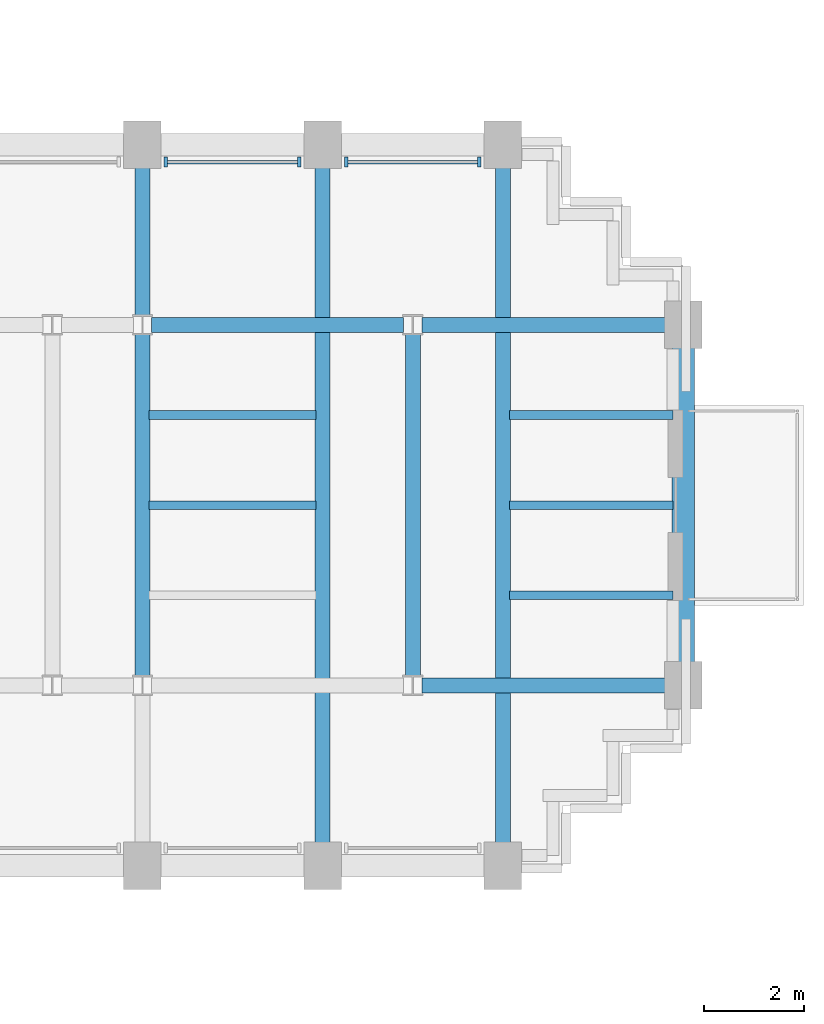
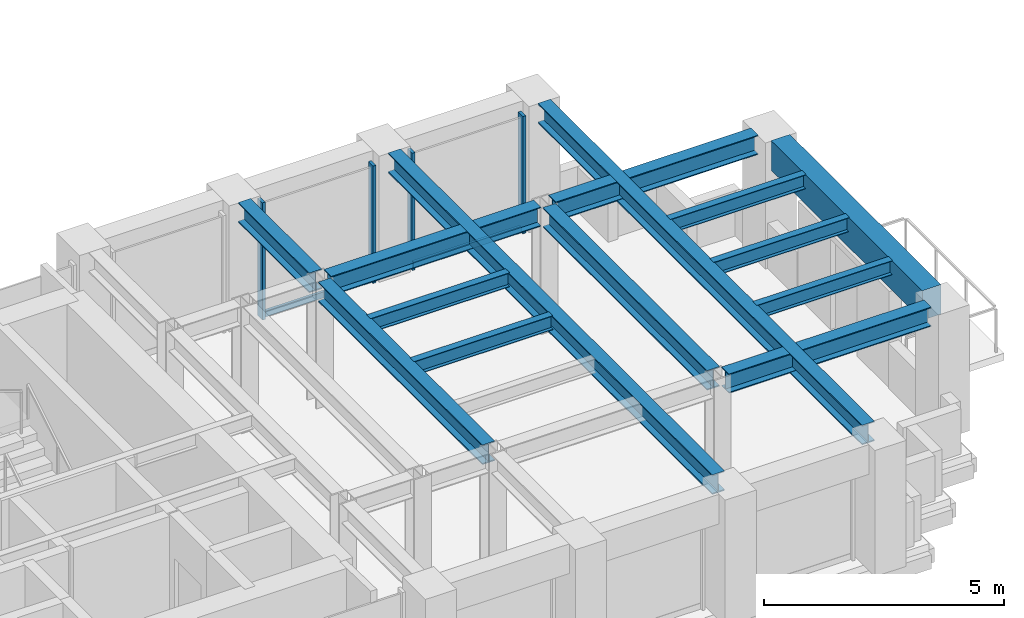
# One storey, part 6 of 15: 14 beams, 6 members, 2 elements without a shape of their own.
"""IFC4 building model written with IfcOpenShell, lengths in metres."""

from ifc_helpers import new_model, si_unit, direction, frame, origin, origin_2d, place, context, subcontext, project, spatial, rectangle, i_section, extrude, source, transform, mapped, material, material_profile, profile_set, type_object, element, aggregate, save


model = new_model("IFC4")

# Units and contexts
model_context = context("Model", 3, precision=1e-05, world=origin(), true_north=direction((0.0, 1.0)))
body_context = subcontext(model_context, "Body", "Model", "MODEL_VIEW")
ifc_project = project(units=[si_unit("LENGTHUNIT", "METRE"), si_unit("AREAUNIT", "SQUARE_METRE"), si_unit("VOLUMEUNIT", "CUBIC_METRE"), si_unit("PLANEANGLEUNIT", "RADIAN"), si_unit("MASSUNIT", "GRAM", prefix="KILO")], contexts=[model_context])

# Site, building, storey
site_placement = place(None, origin())
site = spatial("IfcSite", under=ifc_project, at=site_placement, CompositionType="ELEMENT")
building_placement = place(site_placement, origin())
building = spatial("IfcBuilding", under=site, at=building_placement, Name="Keilestroom Media Tower", CompositionType="ELEMENT")
storey_placement = place(building_placement, frame((0.0, 0.0, 47.60009765625)))
storey = spatial("IfcBuildingStorey", under=building, at=storey_placement, Name="L11", CompositionType="ELEMENT", Elevation=47.60009765625)

# Beams
ifc_material_1 = material(Name="Precast concrete C40/50", Category="concrete")
ifc_material_profile_1 = material_profile(ifc_material_1, rectangle(XDim=0.449951171875, YDim=0.75, at=origin_2d()), Name="PC 450x750")
ifc_profile_set_1 = profile_set([ifc_material_profile_1], Name="Precast concrete C40/50")
beam_type_1 = type_object("IfcBeamType", Name="Perimeter-Spandrel-Beam-PC-450x750", PredefinedType="SPANDREL", material=ifc_profile_set_1)
shared_shape_1 = source(origin(), body_context, "Body", "SweptSolid", [
    extrude(rectangle(XDim=0.449951171875, YDim=0.75, at=origin_2d()), origin(), (0.0, 0.0, 1.0), 6.2900390625),
])
beam_1_placement = place(storey_placement, frame((28.800048828125, -3.14501953125, 2.824951171875), z_axis=(0.0, 1.0, 0.0), x_axis=(-1.0, 0.0, 0.0)))
element("IfcBeam", 1, at=beam_1_placement, inside=storey, type_object=beam_type_1, Name="L11 Beam SPB-1 BM-L11-NS-086", PredefinedType="SPANDREL", context=body_context, shape_type="MappedRepresentation", body=[
    mapped(shared_shape_1, transform((0.0, 0.0, 0.0), x_axis=(1.0, 0.0, 0.0), y_axis=(0.0, 1.0, 0.0), z_axis=(0.0, 0.0, 1.0), scale=1.0)),
])
ifc_material_2 = material(Name="Steel S355", Category="steel")
ifc_material_profile_2 = material_profile(ifc_material_2, i_section(OverallWidth=0.300048828125, OverallDepth=0.5, WebThickness=0.012451171875, FlangeThickness=0.028076171875, at=origin_2d()), Name="HEB 500")
ifc_profile_set_2 = profile_set([ifc_material_profile_2], Name="Steel S355")
beam_type_2 = type_object("IfcBeamType", Name="Primary-Structural-Girder-HEB-500", PredefinedType="BEAM", material=ifc_profile_set_2)
shared_shape_2 = source(origin(), body_context, "Body", "SweptSolid", [
    extrude(i_section(OverallWidth=0.300048828125, OverallDepth=0.5, WebThickness=0.012451171875, FlangeThickness=0.028076171875, at=origin_2d()), origin(), (0.0, 0.0, 1.0), 13.490234375),
])
for number, where, z_axis, x_axis, name in (
    (2, (21.60009765625, -6.7451171875, 2.949951171875), (0.0, 1.0, 0.0), (-1.0, 0.0, 0.0), "L11 Beam BG-6 BM-L11-NS-083"),
    (3, (25.199951171875, -6.7451171875, 2.949951171875), (0.0, 1.0, 0.0), (-1.0, 0.0, 0.0), "L11 Beam BG-6 BM-L11-NS-085"),
):
    element("IfcBeam", number, at=place(storey_placement, frame(where, z_axis=z_axis, x_axis=x_axis)), inside=storey, type_object=beam_type_2, Name=name, PredefinedType="BEAM", context=body_context, shape_type="MappedRepresentation", body=[
        mapped(shared_shape_2, transform((0.0, 0.0, 0.0), x_axis=(1.0, 0.0, 0.0), y_axis=(0.0, 1.0, 0.0), z_axis=(0.0, 0.0, 1.0), scale=1.0)),
    ])
shared_shape_3 = source(origin(), body_context, "Body", "SweptSolid", [
    extrude(i_section(OverallWidth=0.300048828125, OverallDepth=0.5, WebThickness=0.012451171875, FlangeThickness=0.028076171875, at=origin_2d()), origin(), (0.0, 0.0, 1.0), 6.8330078125),
])
for number, where, z_axis, x_axis, name in (
    (4, (18.0, -3.41650390625, 2.949951171875), (0.0, 1.0, 0.0), (-1.0, 0.0, 0.0), "L11 Beam BG-6 BM-L11-NS-081"),
    (5, (23.39990234375, -3.41650390625, 2.949951171875), (0.0, 1.0, 0.0), (-1.0, 0.0, 0.0), "L11 Beam BG-6 BM-L11-NS-084"),
):
    element("IfcBeam", number, at=place(storey_placement, frame(where, z_axis=z_axis, x_axis=x_axis)), inside=storey, type_object=beam_type_2, Name=name, PredefinedType="BEAM", context=body_context, shape_type="MappedRepresentation", body=[
        mapped(shared_shape_3, transform((0.0, 0.0, 0.0), x_axis=(1.0, 0.0, 0.0), y_axis=(0.0, 1.0, 0.0), z_axis=(0.0, 0.0, 1.0), scale=1.0)),
    ])
shared_shape_4 = source(origin(), body_context, "Body", "SweptSolid", [
    extrude(i_section(OverallWidth=0.300048828125, OverallDepth=0.5, WebThickness=0.012451171875, FlangeThickness=0.028076171875, at=origin_2d()), origin(), (0.0, 0.0, 1.0), 2.961669921875),
])
beam_2_placement = place(storey_placement, frame((18.0, 3.783447265625, 2.949951171875), z_axis=(0.0, 1.0, 0.0), x_axis=(-1.0, 0.0, 0.0)))
element("IfcBeam", 6, at=beam_2_placement, inside=storey, type_object=beam_type_2, Name="L11 Beam BG-6 BM-L11-NS-082", PredefinedType="BEAM", context=body_context, shape_type="MappedRepresentation", body=[
    mapped(shared_shape_4, transform((0.0, 0.0, 0.0), x_axis=(1.0, 0.0, 0.0), y_axis=(0.0, 1.0, 0.0), z_axis=(0.0, 0.0, 1.0), scale=1.0)),
])
ifc_material_profile_3 = material_profile(ifc_material_2, i_section(OverallWidth=0.300048828125, OverallDepth=0.489990234375, WebThickness=0.011962890625, FlangeThickness=0.02294921875, at=origin_2d()), Name="HEA 500")
ifc_profile_set_3 = profile_set([ifc_material_profile_3], Name="Steel S355")
beam_type_3 = type_object("IfcBeamType", Name="Primary-Structural-Girder-HEA-500", PredefinedType="BEAM", material=ifc_profile_set_3)
shared_shape_5 = source(origin(), body_context, "Body", "SweptSolid", [
    extrude(i_section(OverallWidth=0.300048828125, OverallDepth=0.489990234375, WebThickness=0.011962890625, FlangeThickness=0.02294921875, at=origin_2d()), origin(), (0.0, 0.0, 1.0), 4.863037109375),
])
for number, where, z_axis, x_axis, name in (
    (7, (23.58203125, -3.60009765625, 2.954833984375), (1.0, 0.0, 0.0), (0.0, 1.0, 0.0), "L11 Beam BG-10 BM-L11-EW-025"),
    (8, (23.58203125, 3.60009765625, 2.954833984375), (1.0, 0.0, 0.0), (0.0, 1.0, 0.0), "L11 Beam BG-10 BM-L11-EW-033"),
):
    element("IfcBeam", number, at=place(storey_placement, frame(where, z_axis=z_axis, x_axis=x_axis)), inside=storey, type_object=beam_type_3, Name=name, PredefinedType="BEAM", context=body_context, shape_type="MappedRepresentation", body=[
        mapped(shared_shape_5, transform((0.0, 0.0, 0.0), x_axis=(1.0, 0.0, 0.0), y_axis=(0.0, 1.0, 0.0), z_axis=(0.0, 0.0, 1.0), scale=1.0)),
    ])
shared_shape_6 = source(origin(), body_context, "Body", "SweptSolid", [
    extrude(i_section(OverallWidth=0.300048828125, OverallDepth=0.489990234375, WebThickness=0.011962890625, FlangeThickness=0.02294921875, at=origin_2d()), origin(), (0.0, 0.0, 1.0), 5.0361328125),
])
beam_3_placement = place(storey_placement, frame((18.181884765625, 3.60009765625, 2.954833984375), z_axis=(1.0, 0.0, 0.0), x_axis=(0.0, 1.0, 0.0)))
element("IfcBeam", 9, at=beam_3_placement, inside=storey, type_object=beam_type_3, Name="L11 Beam BG-10 BM-L11-EW-032", PredefinedType="BEAM", context=body_context, shape_type="MappedRepresentation", body=[
    mapped(shared_shape_6, transform((0.0, 0.0, 0.0), x_axis=(1.0, 0.0, 0.0), y_axis=(0.0, 1.0, 0.0), z_axis=(0.0, 0.0, 1.0), scale=1.0)),
])
ifc_material_profile_4 = material_profile(ifc_material_2, i_section(OverallWidth=0.169921875, OverallDepth=0.360107421875, WebThickness=0.008056640625, FlangeThickness=0.0126953125, at=origin_2d()), Name="IPE 360")
ifc_profile_set_4 = profile_set([ifc_material_profile_4], Name="Steel S355")
beam_type_4 = type_object("IfcBeamType", Name="Secondary-Floor-Joist-IPE-360", PredefinedType="JOIST", material=ifc_profile_set_4)
shared_shape_7 = source(origin(), body_context, "Body", "SweptSolid", [
    extrude(i_section(OverallWidth=0.169921875, OverallDepth=0.360107421875, WebThickness=0.008056640625, FlangeThickness=0.0126953125, at=origin_2d()), origin(), (0.0, 0.0, 1.0), 3.264892578125),
])
for number, where, z_axis, x_axis, name in (
    (10, (25.330078125, -1.800048828125, 3.02001953125), (1.0, 0.0, 0.0), (0.0, 1.0, 0.0), "L11 Beam BJ-5 JST-L11-095"),
    (11, (25.330078125, 0.0, 3.02001953125), (1.0, 0.0, 0.0), (0.0, 1.0, 0.0), "L11 Beam BJ-5 JST-L11-102"),
    (12, (25.330078125, 1.800048828125, 3.02001953125), (1.0, 0.0, 0.0), (0.0, 1.0, 0.0), "L11 Beam BJ-5 JST-L11-109"),
):
    element("IfcBeam", number, at=place(storey_placement, frame(where, z_axis=z_axis, x_axis=x_axis)), inside=storey, type_object=beam_type_4, Name=name, PredefinedType="JOIST", context=body_context, shape_type="MappedRepresentation", body=[
        mapped(shared_shape_7, transform((0.0, 0.0, 0.0), x_axis=(1.0, 0.0, 0.0), y_axis=(0.0, 1.0, 0.0), z_axis=(0.0, 0.0, 1.0), scale=1.0)),
    ])
shared_shape_8 = source(origin(), body_context, "Body", "SweptSolid", [
    extrude(i_section(OverallWidth=0.169921875, OverallDepth=0.360107421875, WebThickness=0.008056640625, FlangeThickness=0.0126953125, at=origin_2d()), origin(), (0.0, 0.0, 1.0), 3.340087890625),
])
for number, where, z_axis, x_axis, name in (
    (13, (18.1298828125, 0.0, 3.02001953125), (1.0, 0.0, 0.0), (0.0, 1.0, 0.0), "L11 Beam BJ-5 JST-L11-101"),
    (14, (18.1298828125, 1.800048828125, 3.02001953125), (1.0, 0.0, 0.0), (0.0, 1.0, 0.0), "L11 Beam BJ-5 JST-L11-108"),
):
    element("IfcBeam", number, at=place(storey_placement, frame(where, z_axis=z_axis, x_axis=x_axis)), inside=storey, type_object=beam_type_4, Name=name, PredefinedType="JOIST", context=body_context, shape_type="MappedRepresentation", body=[
        mapped(shared_shape_8, transform((0.0, 0.0, 0.0), x_axis=(1.0, 0.0, 0.0), y_axis=(0.0, 1.0, 0.0), z_axis=(0.0, 0.0, 1.0), scale=1.0)),
    ])

# Curtain wall, members
ifc_material_3 = material(Name="Anodised Aluminium Alloy", Category="aluminium")
curtain_wall_type = type_object("IfcCurtainWallType", Name="Unitised-Curtain-Wall-CW-1", PredefinedType="NOTDEFINED", material=ifc_material_3)
curtain_wall_1_placement = place(storey_placement, origin())
curtain_wall_1 = element("IfcCurtainWall", 15, at=curtain_wall_1_placement, inside=storey, type_object=curtain_wall_type, Name="L11 Curtain Wall CW-1 CW-L11-NE-3", PredefinedType="NOTDEFINED")
ifc_material_profile_5 = material_profile(ifc_material_3, rectangle(XDim=0.070068359375, YDim=0.199951171875, at=origin_2d()), Name="ALU MULLION 70x200")
ifc_profile_set_5 = profile_set([ifc_material_profile_5], Name="Anodised Aluminium Alloy")
member_type_1 = type_object("IfcMemberType", Name="Curtain-Wall-Mullion-CW-1", PredefinedType="MULLION", material=ifc_profile_set_5)
shared_shape_9 = source(origin(), body_context, "Body", "SweptSolid", [
    extrude(rectangle(XDim=0.070068359375, YDim=0.199951171875, at=origin_2d()), origin(), (0.0, 0.0, 1.0), 2.97998046875),
])
member_1_placement = place(storey_placement, frame((18.469970703125, 6.85009765625, 0.0), z_axis=(0.0, 0.0, 1.0), x_axis=(1.0, 0.0, 0.0)))
member_1 = element("IfcMember", 16, at=member_1_placement, type_object=member_type_1, Name="CW-1 Mullion 00", PredefinedType="MULLION", context=body_context, shape_type="MappedRepresentation", body=[
    mapped(shared_shape_9, transform((0.0, 0.0, 0.0), x_axis=(1.0, 0.0, 0.0), y_axis=(0.0, 1.0, 0.0), z_axis=(0.0, 0.0, 1.0), scale=1.0)),
])
member_2_placement = place(storey_placement, frame((21.1298828125, 6.85009765625, 0.0), z_axis=(0.0, 0.0, 1.0), x_axis=(1.0, 0.0, 0.0)))
member_2 = element("IfcMember", 17, at=member_2_placement, type_object=member_type_1, Name="CW-1 Mullion 01", PredefinedType="MULLION", context=body_context, shape_type="MappedRepresentation", body=[
    mapped(shared_shape_9, transform((0.0, 0.0, 0.0), x_axis=(1.0, 0.0, 0.0), y_axis=(0.0, 1.0, 0.0), z_axis=(0.0, 0.0, 1.0), scale=1.0)),
])

curtain_wall_2_placement = place(storey_placement, origin())
curtain_wall_2 = element("IfcCurtainWall", 18, at=curtain_wall_2_placement, inside=storey, type_object=curtain_wall_type, Name="L11 Curtain Wall CW-1 CW-L11-NE-4", PredefinedType="NOTDEFINED")
member_3_placement = place(storey_placement, frame((22.070068359375, 6.85009765625, 0.0), z_axis=(0.0, 0.0, 1.0), x_axis=(1.0, 0.0, 0.0)))
member_3 = element("IfcMember", 19, at=member_3_placement, type_object=member_type_1, Name="CW-1 Mullion 00", PredefinedType="MULLION", context=body_context, shape_type="MappedRepresentation", body=[
    mapped(shared_shape_9, transform((0.0, 0.0, 0.0), x_axis=(1.0, 0.0, 0.0), y_axis=(0.0, 1.0, 0.0), z_axis=(0.0, 0.0, 1.0), scale=1.0)),
])
member_4_placement = place(storey_placement, frame((24.72998046875, 6.85009765625, 0.0), z_axis=(0.0, 0.0, 1.0), x_axis=(1.0, 0.0, 0.0)))
member_4 = element("IfcMember", 20, at=member_4_placement, type_object=member_type_1, Name="CW-1 Mullion 01", PredefinedType="MULLION", context=body_context, shape_type="MappedRepresentation", body=[
    mapped(shared_shape_9, transform((0.0, 0.0, 0.0), x_axis=(1.0, 0.0, 0.0), y_axis=(0.0, 1.0, 0.0), z_axis=(0.0, 0.0, 1.0), scale=1.0)),
])

# Member
ifc_material_profile_6 = material_profile(ifc_material_3, rectangle(XDim=0.06494140625, YDim=0.14990234375, at=origin_2d()), Name="ALU TRANSOM 65x150")
ifc_profile_set_6 = profile_set([ifc_material_profile_6], Name="Anodised Aluminium Alloy")
member_type_2 = type_object("IfcMemberType", Name="Curtain-Wall-Transom-CW-1", PredefinedType="USERDEFINED", material=ifc_profile_set_6)
shared_shape_10 = source(origin(), body_context, "Body", "SweptSolid", [
    extrude(rectangle(XDim=0.06494140625, YDim=0.14990234375, at=origin_2d()), origin(), (0.0, 0.0, 1.0), 2.593994140625),
])
member_5_placement = place(storey_placement, frame((18.5029296875, 6.85009765625, 0.074951171875), z_axis=(1.0, 0.0, 0.0), x_axis=(0.0, 1.0, 0.0)))
member_5 = element("IfcMember", 21, at=member_5_placement, type_object=member_type_2, Name="CW-1 Transom 00.1", ObjectType="TRANSOM", PredefinedType="USERDEFINED", context=body_context, shape_type="MappedRepresentation", body=[
    mapped(shared_shape_10, transform((0.0, 0.0, 0.0), x_axis=(1.0, 0.0, 0.0), y_axis=(0.0, 1.0, 0.0), z_axis=(0.0, 0.0, 1.0), scale=1.0)),
])

aggregate(curtain_wall_1, [member_1, member_2, member_5])

member_6_placement = place(storey_placement, frame((22.10302734375, 6.85009765625, 0.074951171875), z_axis=(1.0, 0.0, 0.0), x_axis=(0.0, 1.0, 0.0)))
member_6 = element("IfcMember", 22, at=member_6_placement, type_object=member_type_2, Name="CW-1 Transom 00.1", ObjectType="TRANSOM", PredefinedType="USERDEFINED", context=body_context, shape_type="MappedRepresentation", body=[
    mapped(shared_shape_10, transform((0.0, 0.0, 0.0), x_axis=(1.0, 0.0, 0.0), y_axis=(0.0, 1.0, 0.0), z_axis=(0.0, 0.0, 1.0), scale=1.0)),
])

aggregate(curtain_wall_2, [member_3, member_4, member_6])

save(model, "model.ifc")
